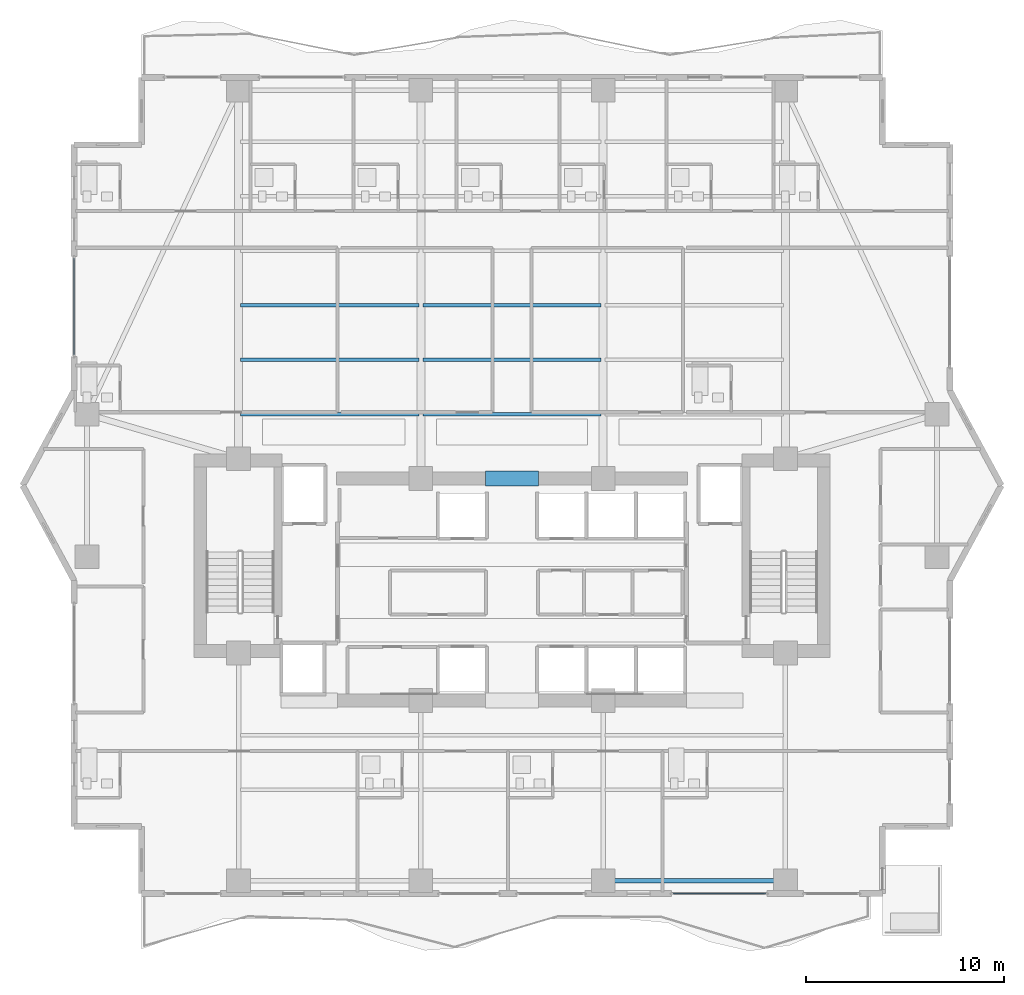
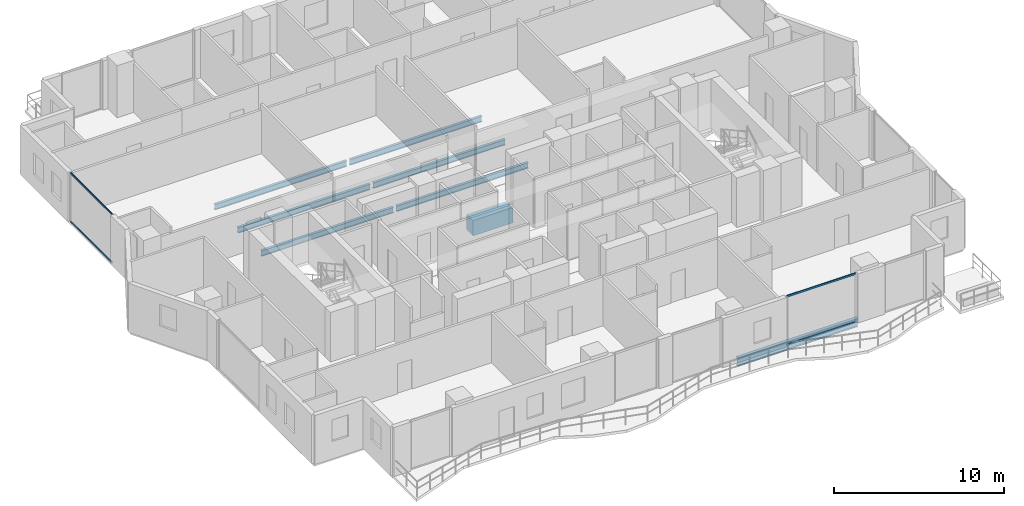
# One storey, part 10 of 33: 8 beams, 4 members, 2 elements without a shape of their own.
"""IFC4 building model written with IfcOpenShell, lengths in metres."""

from ifc_helpers import new_model, si_unit, direction, frame, origin, origin_2d, place, context, subcontext, project, spatial, rectangle, hollow_rectangle, i_section, extrude, material, layer, layer_set, material_profile, profile_set, type_object, element, aggregate, save


model = new_model("IFC4")

# Units and contexts
model_context = context("Model", 3, precision=1e-05, world=origin(), true_north=direction((0.0, 1.0)))
body_context = subcontext(model_context, "Body", "Model", "MODEL_VIEW")
ifc_project = project(units=[si_unit("LENGTHUNIT", "METRE"), si_unit("AREAUNIT", "SQUARE_METRE"), si_unit("VOLUMEUNIT", "CUBIC_METRE"), si_unit("PLANEANGLEUNIT", "RADIAN"), si_unit("MASSUNIT", "GRAM", prefix="KILO")], contexts=[model_context])

# Site, building, storey
site_placement = place(None, origin())
site = spatial("IfcSite", under=ifc_project, at=site_placement, CompositionType="ELEMENT")
building_placement = place(site_placement, origin())
building = spatial("IfcBuilding", under=site, at=building_placement, Name="Zuhayl Quay Hotel", CompositionType="ELEMENT")
storey_placement = place(building_placement, frame((0.0, 0.0, 207.39990234375)))
storey = spatial("IfcBuildingStorey", under=building, at=storey_placement, Name="L52", CompositionType="ELEMENT", Elevation=207.39990234375)

# Beams
ifc_material_1 = material(Name="Steel ASTM A992 Grade 50", Category="steel")
ifc_material_profile_1 = material_profile(ifc_material_1, i_section(OverallWidth=0.22802734375, OverallDepth=0.60693359375, WebThickness=0.01123046875, FlangeThickness=0.017333984375, at=origin_2d()), Name="W24X76")
ifc_profile_set_1 = profile_set([ifc_material_profile_1], Name="Steel ASTM A992 Grade 50")
beam_type_1 = type_object("IfcBeamType", Name="BM_B3_W24X76", PredefinedType="BEAM", material=ifc_profile_set_1)
beam_1_placement = place(storey_placement, frame((5.10009765625, -6.949951171875, -0.5234375), z_axis=(1.0, 0.0, 0.0), x_axis=(0.0, 1.0, 0.0)))
element("IfcBeam", 1, at=beam_1_placement, inside=storey, type_object=beam_type_1, Name="L52 Floor Beam RG_L52_03", PredefinedType="BEAM", context=body_context, shape_type="SweptSolid", body=[
    extrude(i_section(OverallWidth=0.22802734375, OverallDepth=0.60693359375, WebThickness=0.01123046875, FlangeThickness=0.017333984375, at=origin_2d()), origin(), (0.0, 0.0, 1.0), 8.199951171875),
])
ifc_material_2 = material(Name="Concrete C60/75", Category="concrete")
ifc_material_profile_2 = material_profile(ifc_material_2, rectangle(XDim=0.75, YDim=1.10009765625, at=origin_2d()), Name="RC750X1100")
ifc_profile_set_2 = profile_set([ifc_material_profile_2], Name="Concrete C60/75")
beam_type_2 = type_object("IfcBeamType", Name="BM_CB2_RC750", PredefinedType="T_BEAM", material=ifc_profile_set_2)
beam_2_placement = place(storey_placement, frame((-1.35009765625, 13.35009765625, -0.77001953125), z_axis=(1.0, 0.0, 0.0), x_axis=(0.0, 1.0, 0.0)))
element("IfcBeam", 2, at=beam_2_placement, inside=storey, type_object=beam_type_2, Name="L52 Core Coupling Beam North", PredefinedType="T_BEAM", context=body_context, shape_type="SweptSolid", body=[
    extrude(rectangle(XDim=0.75, YDim=1.10009765625, at=origin_2d()), origin(), (0.0, 0.0, 1.0), 2.7001953125),
])
ifc_material_profile_3 = material_profile(ifc_material_1, i_section(OverallWidth=0.177978515625, OverallDepth=0.406005859375, WebThickness=0.0078125, FlangeThickness=0.0126953125, at=origin_2d()), Name="W16X40")
ifc_profile_set_3 = profile_set([ifc_material_profile_3], Name="Steel ASTM A992 Grade 50")
beam_type_3 = type_object("IfcBeamType", Name="BM_J2B_W16X40", PredefinedType="JOIST", material=ifc_profile_set_3)
beam_3_placement = place(storey_placement, frame((-13.694091796875, 16.60009765625, -0.4228515625), z_axis=(1.0, 0.0, 0.0), x_axis=(0.0, 1.0, 0.0)))
element("IfcBeam", 3, at=beam_3_placement, inside=storey, type_object=beam_type_3, Name="L52 Floor Beam FJ_L52_1_1", PredefinedType="JOIST", context=body_context, shape_type="SweptSolid", body=[
    extrude(i_section(OverallWidth=0.177978515625, OverallDepth=0.406005859375, WebThickness=0.0078125, FlangeThickness=0.0126953125, at=origin_2d()), origin(), (0.0, 0.0, 1.0), 8.988037109375),
])
beam_4_placement = place(storey_placement, frame((-4.493896484375, 16.60009765625, -0.4228515625), z_axis=(1.0, 0.0, 0.0), x_axis=(0.0, 1.0, 0.0)))
element("IfcBeam", 4, at=beam_4_placement, inside=storey, type_object=beam_type_3, Name="L52 Floor Beam FJ_L52_1_2", PredefinedType="JOIST", context=body_context, shape_type="SweptSolid", body=[
    extrude(i_section(OverallWidth=0.177978515625, OverallDepth=0.406005859375, WebThickness=0.0078125, FlangeThickness=0.0126953125, at=origin_2d()), origin(), (0.0, 0.0, 1.0), 8.98779296875),
])
beam_5_placement = place(storey_placement, frame((-13.694091796875, 19.35009765625, -0.4228515625), z_axis=(1.0, 0.0, 0.0), x_axis=(0.0, 1.0, 0.0)))
element("IfcBeam", 5, at=beam_5_placement, inside=storey, type_object=beam_type_3, Name="L52 Floor Beam FJ_L52_2_1", PredefinedType="JOIST", context=body_context, shape_type="SweptSolid", body=[
    extrude(i_section(OverallWidth=0.177978515625, OverallDepth=0.406005859375, WebThickness=0.0078125, FlangeThickness=0.0126953125, at=origin_2d()), origin(), (0.0, 0.0, 1.0), 8.988037109375),
])
beam_6_placement = place(storey_placement, frame((-4.493896484375, 19.35009765625, -0.4228515625), z_axis=(1.0, 0.0, 0.0), x_axis=(0.0, 1.0, 0.0)))
element("IfcBeam", 6, at=beam_6_placement, inside=storey, type_object=beam_type_3, Name="L52 Floor Beam FJ_L52_2_2", PredefinedType="JOIST", context=body_context, shape_type="SweptSolid", body=[
    extrude(i_section(OverallWidth=0.177978515625, OverallDepth=0.406005859375, WebThickness=0.0078125, FlangeThickness=0.0126953125, at=origin_2d()), origin(), (0.0, 0.0, 1.0), 8.98779296875),
])
beam_7_placement = place(storey_placement, frame((-13.694091796875, 22.10009765625, -0.4228515625), z_axis=(1.0, 0.0, 0.0), x_axis=(0.0, 1.0, 0.0)))
element("IfcBeam", 7, at=beam_7_placement, inside=storey, type_object=beam_type_3, Name="L52 Floor Beam FJ_L52_3_1", PredefinedType="JOIST", context=body_context, shape_type="SweptSolid", body=[
    extrude(i_section(OverallWidth=0.177978515625, OverallDepth=0.406005859375, WebThickness=0.0078125, FlangeThickness=0.0126953125, at=origin_2d()), origin(), (0.0, 0.0, 1.0), 8.988037109375),
])
beam_8_placement = place(storey_placement, frame((-4.493896484375, 22.10009765625, -0.4228515625), z_axis=(1.0, 0.0, 0.0), x_axis=(0.0, 1.0, 0.0)))
element("IfcBeam", 8, at=beam_8_placement, inside=storey, type_object=beam_type_3, Name="L52 Floor Beam FJ_L52_3_2", PredefinedType="JOIST", context=body_context, shape_type="SweptSolid", body=[
    extrude(i_section(OverallWidth=0.177978515625, OverallDepth=0.406005859375, WebThickness=0.0078125, FlangeThickness=0.0126953125, at=origin_2d()), origin(), (0.0, 0.0, 1.0), 8.98779296875),
])

# Curtain wall, members
ifc_material_3 = material(Name="Anodised Aluminium 6063-T6", Category="aluminium")
ifc_layer = layer(ifc_material_3, 0.175048828125, Name="Anodised Aluminium 6063-T6", Category="aluminium")
ifc_layer_set = layer_set([ifc_layer], Name="Anodised Aluminium 6063-T6")
curtain_wall_type = type_object("IfcCurtainWallType", Name="CW_SYS_Z3", PredefinedType="USERDEFINED", material=ifc_layer_set)
curtain_wall_1_placement = place(storey_placement, origin())
curtain_wall_1 = element("IfcCurtainWall", 9, at=curtain_wall_1_placement, inside=storey, type_object=curtain_wall_type, Name="L52 Curtain Wall ENV_L52_E05_CW1", ObjectType="UNITISED CURTAIN WALL", PredefinedType="USERDEFINED")
ifc_material_4 = material(Name="Black-anodised aluminium 6063-T6", Category="aluminium")
ifc_material_profile_4 = material_profile(ifc_material_4, hollow_rectangle(XDim=0.054931640625, YDim=0.1298828125, WallThickness=0.0029296875, at=origin_2d()), Name="ALU130X55")
ifc_profile_set_4 = profile_set([ifc_material_profile_4], Name="Black-anodised aluminium 6063-T6")
member_type = type_object("IfcMemberType", Name="MB_CW_TRN_130", PredefinedType="USERDEFINED", material=ifc_profile_set_4)
member_1_placement = place(storey_placement, frame((-22.10009765625, 19.574951171875, 0.027587890625), z_axis=(0.0, 1.0, 0.0), x_axis=(-1.0, 0.0, 0.0)))
member_1 = element("IfcMember", 10, at=member_1_placement, type_object=member_type, Name="CW-Z3 transom 1.1", ObjectType="TRANSOM", PredefinedType="USERDEFINED", context=body_context, shape_type="SweptSolid", body=[
    extrude(hollow_rectangle(XDim=0.054931640625, YDim=0.1298828125, WallThickness=0.0029296875, at=origin_2d()), origin(), (0.0, 0.0, 1.0), 4.91015625),
])
member_2_placement = place(storey_placement, frame((-22.10009765625, 19.574951171875, 3.502685546875), z_axis=(0.0, 1.0, 0.0), x_axis=(-1.0, 0.0, 0.0)))
member_2 = element("IfcMember", 11, at=member_2_placement, type_object=member_type, Name="CW-Z3 transom 1.2", ObjectType="TRANSOM", PredefinedType="USERDEFINED", context=body_context, shape_type="SweptSolid", body=[
    extrude(hollow_rectangle(XDim=0.054931640625, YDim=0.1298828125, WallThickness=0.0029296875, at=origin_2d()), origin(), (0.0, 0.0, 1.0), 4.91015625),
])
aggregate(curtain_wall_1, [member_1, member_2])

curtain_wall_2_placement = place(storey_placement, origin())
curtain_wall_2 = element("IfcCurtainWall", 12, at=curtain_wall_2_placement, inside=storey, type_object=curtain_wall_type, Name="L52 Curtain Wall ENV_L52_S_CW2", ObjectType="UNITISED CURTAIN WALL", PredefinedType="USERDEFINED")
member_3_placement = place(storey_placement, frame((12.81494140625, -7.60009765625, 0.027587890625), z_axis=(-1.0, 0.0, 0.0), x_axis=(0.0, -1.0, 0.0)))
member_3 = element("IfcMember", 13, at=member_3_placement, type_object=member_type, Name="CW-Z3 transom 1.1", ObjectType="TRANSOM", PredefinedType="USERDEFINED", context=body_context, shape_type="SweptSolid", body=[
    extrude(hollow_rectangle(XDim=0.054931640625, YDim=0.1298828125, WallThickness=0.0029296875, at=origin_2d()), origin(), (0.0, 0.0, 1.0), 4.699951171875),
])
member_4_placement = place(storey_placement, frame((12.81494140625, -7.60009765625, 3.502685546875), z_axis=(-1.0, 0.0, 0.0), x_axis=(0.0, -1.0, 0.0)))
member_4 = element("IfcMember", 14, at=member_4_placement, type_object=member_type, Name="CW-Z3 transom 1.2", ObjectType="TRANSOM", PredefinedType="USERDEFINED", context=body_context, shape_type="SweptSolid", body=[
    extrude(hollow_rectangle(XDim=0.054931640625, YDim=0.1298828125, WallThickness=0.0029296875, at=origin_2d()), origin(), (0.0, 0.0, 1.0), 4.699951171875),
])
aggregate(curtain_wall_2, [member_3, member_4])

save(model, "model.ifc")
